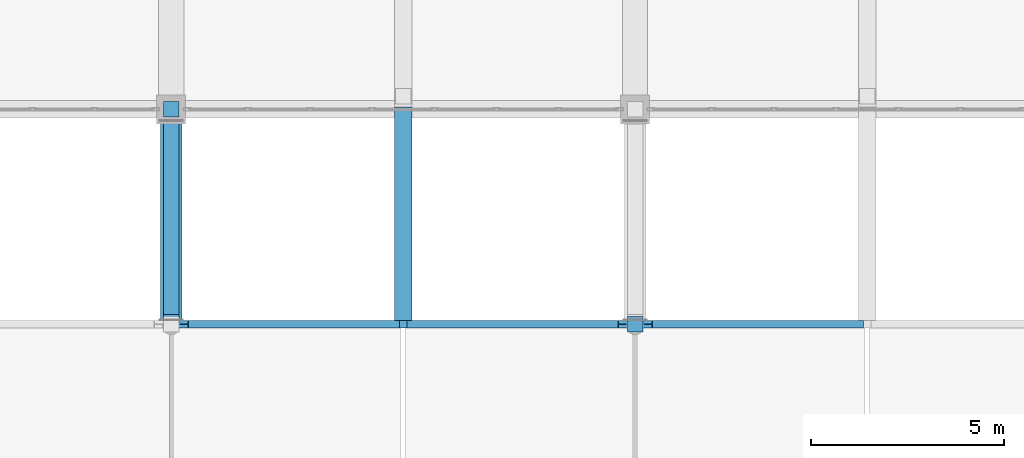
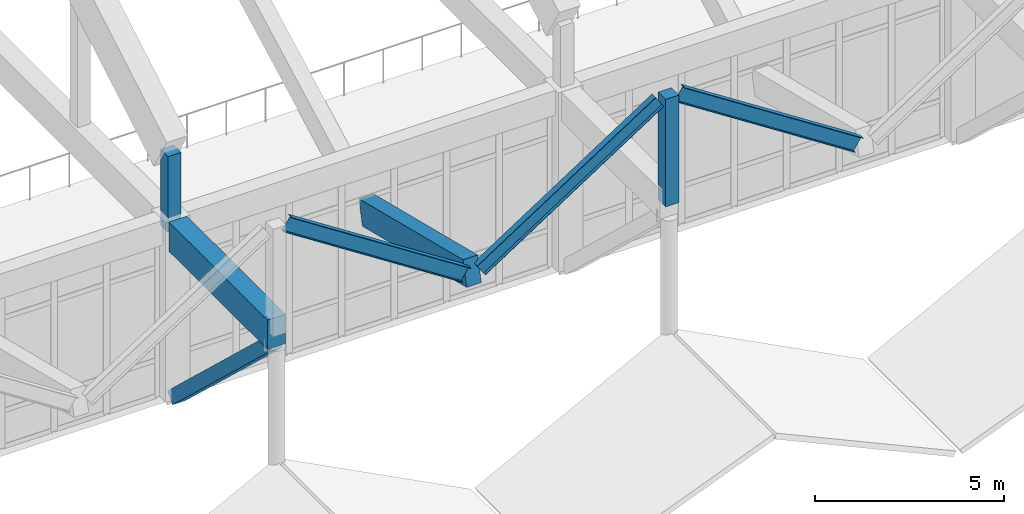
# One storey, part 54 of 236: 5 beams, 3 members.
"""IFC4 building model written with IfcOpenShell, lengths in metres."""

from ifc_helpers import new_model, si_unit, direction, frame, origin, origin_2d, place, context, subcontext, project, spatial, rectangle, i_section, extrude, material, material_profile, profile_set, type_object, element, save


model = new_model("IFC4")

# Units and contexts
model_context = context("Model", 3, precision=1e-05, world=origin(), true_north=direction((0.0, 1.0)))
body_context = subcontext(model_context, "Body", "Model", "MODEL_VIEW")
ifc_project = project(units=[si_unit("LENGTHUNIT", "METRE"), si_unit("AREAUNIT", "SQUARE_METRE"), si_unit("VOLUMEUNIT", "CUBIC_METRE"), si_unit("PLANEANGLEUNIT", "RADIAN"), si_unit("MASSUNIT", "GRAM", prefix="KILO")], contexts=[model_context])

# Site, building, storey
site_placement = place(None, origin())
site = spatial("IfcSite", under=ifc_project, at=site_placement, CompositionType="ELEMENT")
building_placement = place(site_placement, origin())
building = spatial("IfcBuilding", under=site, at=building_placement, Name="Pandanus Reach Market Hall", CompositionType="ELEMENT")
storey_placement = place(building_placement, frame((0.0, 0.0, 5.39990234375)))
storey = spatial("IfcBuildingStorey", under=building, at=storey_placement, Name="L01", CompositionType="ELEMENT", Elevation=5.39990234375)

# Members
ifc_material_1 = material(Name="Concrete N50 (50 MPa)", Category="concrete")
ifc_material_profile_1 = material_profile(ifc_material_1, rectangle(XDim=0.39990234375, YDim=0.39990234375, at=origin_2d()), Name="RC400x400", Category="LoadBearing")
ifc_profile_set_1 = profile_set([ifc_material_profile_1], Name="Concrete N50 (50 MPa)")
member_type_1 = type_object("IfcMemberType", Name="AR-WEB400-E", PredefinedType="STRUT", material=ifc_profile_set_1)
member_1_placement = place(storey_placement, frame((96.0, 28.800048828125, 5.3251953125), z_axis=(0.0, 0.0, 1.0), x_axis=(1.0, 0.0, 0.0)))
element("IfcMember", 1, at=member_1_placement, inside=storey, type_object=member_type_1, Name="Arch springing concrete strut A5.S", PredefinedType="STRUT", context=body_context, shape_type="SweptSolid", body=[
    extrude(rectangle(XDim=0.39990234375, YDim=0.39990234375, at=origin_2d()), origin(), (0.0, 0.0, 1.0), 2.454833984375),
])
member_2_placement = place(storey_placement, frame((108.0, 23.239990234375, 5.3251953125), z_axis=(0.0, 0.0, 1.0), x_axis=(1.0, 0.0, 0.0)))
element("IfcMember", 2, at=member_2_placement, inside=storey, type_object=member_type_1, Name="Zigzag eaves ridge post A6.S", PredefinedType="STRUT", context=body_context, shape_type="SweptSolid", body=[
    extrude(rectangle(XDim=0.39990234375, YDim=0.39990234375, at=origin_2d()), origin(), (0.0, 0.0, 1.0), 3.474853515625),
])

# Beams
ifc_material_2 = material(Name="Concrete N40 (40 MPa)", Category="concrete")
ifc_material_profile_2 = material_profile(ifc_material_2, rectangle(XDim=0.449951171875, YDim=0.800048828125, at=origin_2d()), Name="RC450x800", Category="LoadBearing")
ifc_profile_set_2 = profile_set([ifc_material_profile_2], Name="Concrete N40 (40 MPa)")
beam_type_1 = type_object("IfcBeamType", Name="BM-RC450-I", PredefinedType="BEAM", material=ifc_profile_set_2)
beam_1_placement = place(storey_placement, frame((102.0, 23.239990234375, 5.16015625), z_axis=(0.0, 0.97055017704, -0.240899053231), x_axis=(-1.0, 0.0, 0.0)))
element("IfcBeam", 3, at=beam_1_placement, inside=storey, type_object=beam_type_1, Name="Butterfly valley beam B5.1", PredefinedType="BEAM", context=body_context, shape_type="SweptSolid", body=[
    extrude(rectangle(XDim=0.449951171875, YDim=0.800048828125, at=origin_2d()), origin(), (0.0, 0.0, 1.0), 5.6875),
])
ifc_material_profile_3 = material_profile(ifc_material_1, rectangle(XDim=0.550048828125, YDim=0.949951171875, at=origin_2d()), Name="RC550x950", Category="LoadBearing")
ifc_profile_set_3 = profile_set([ifc_material_profile_3], Name="Concrete N50 (50 MPa)")
beam_type_2 = type_object("IfcBeamType", Name="BM-RC550-E", PredefinedType="BEAM", material=ifc_profile_set_3)
beam_2_placement = place(storey_placement, frame((96.0, 23.199951171875, 5.3251953125), z_axis=(0.0, 1.0, 0.0), x_axis=(-1.0, 0.0, 0.0)))
element("IfcBeam", 4, at=beam_2_placement, inside=storey, type_object=beam_type_2, Name="Zigzag south eaves cantilever girder A5", PredefinedType="BEAM", context=body_context, shape_type="SweptSolid", body=[
    extrude(rectangle(XDim=0.550048828125, YDim=0.949951171875, at=origin_2d()), origin(), (0.0, 0.0, 1.0), 5.22998046875),
])
ifc_material_3 = material(Name="Steel Grade 350 (350 MPa)", Category="steel")
ifc_material_profile_4 = material_profile(ifc_material_3, i_section(OverallWidth=0.18994140625, OverallDepth=0.45703125, WebThickness=0.009033203125, FlangeThickness=0.014404296875, at=origin_2d()), Name="460UB74.6", Category="LoadBearing")
ifc_profile_set_4 = profile_set([ifc_material_profile_4], Name="Steel Grade 350 (350 MPa)")
beam_type_3 = type_object("IfcBeamType", Name="BM-UB460-E", PredefinedType="BEAM", material=ifc_profile_set_4)
for number, where, z_axis, x_axis, name in (
    (5, (96.320068359375, 23.239990234375, 8.7001953125), (0.839070527962, 0.0, -0.544022654956), (0.0, 1.0, 0.0), "Butterfly south fringe rib B5.0L"),
    (6, (102.219970703125, 23.239990234375, 5.16015625), (0.839070527962, 0.0, 0.544022654956), (0.0, 1.0, 0.0), "Butterfly south fringe rib B5.0R"),
    (7, (108.320068359375, 23.239990234375, 8.7001953125), (0.839070527962, 0.0, -0.544022654956), (0.0, 1.0, 0.0), "Butterfly south fringe rib B6.0L"),
):
    element("IfcBeam", number, at=place(storey_placement, frame(where, z_axis=z_axis, x_axis=x_axis)), inside=storey, type_object=beam_type_3, Name=name, PredefinedType="BEAM", context=body_context, shape_type="SweptSolid", body=[
        extrude(i_section(OverallWidth=0.18994140625, OverallDepth=0.45703125, WebThickness=0.009033203125, FlangeThickness=0.014404296875, at=origin_2d()), origin(), (0.0, 0.0, 1.0), 6.507080078125),
    ])

# Member
ifc_material_profile_5 = material_profile(ifc_material_1, rectangle(XDim=0.39990234375, YDim=0.39990234375, at=origin_2d()), Name="RC400x400", Category="LoadBearing")
ifc_profile_set_5 = profile_set([ifc_material_profile_5], Name="Concrete N50 (50 MPa)")
member_type_2 = type_object("IfcMemberType", Name="VS-RC400-E", PredefinedType="STRUT", material=ifc_profile_set_5)
member_3_placement = place(storey_placement, frame((96.0, 28.5, 0.050048828125), z_axis=(0.0, -0.72797908325, 0.68559933952), x_axis=(1.0, 0.0, 0.0)))
element("IfcMember", 8, at=member_3_placement, inside=storey, type_object=member_type_2, Name="Splayed concrete south arcade V-strut A5.1", PredefinedType="STRUT", context=body_context, shape_type="SweptSolid", body=[
    extrude(rectangle(XDim=0.39990234375, YDim=0.39990234375, at=origin_2d()), origin(), (0.0, 0.0, 1.0), 7.07421875),
])

save(model, "model.ifc")
